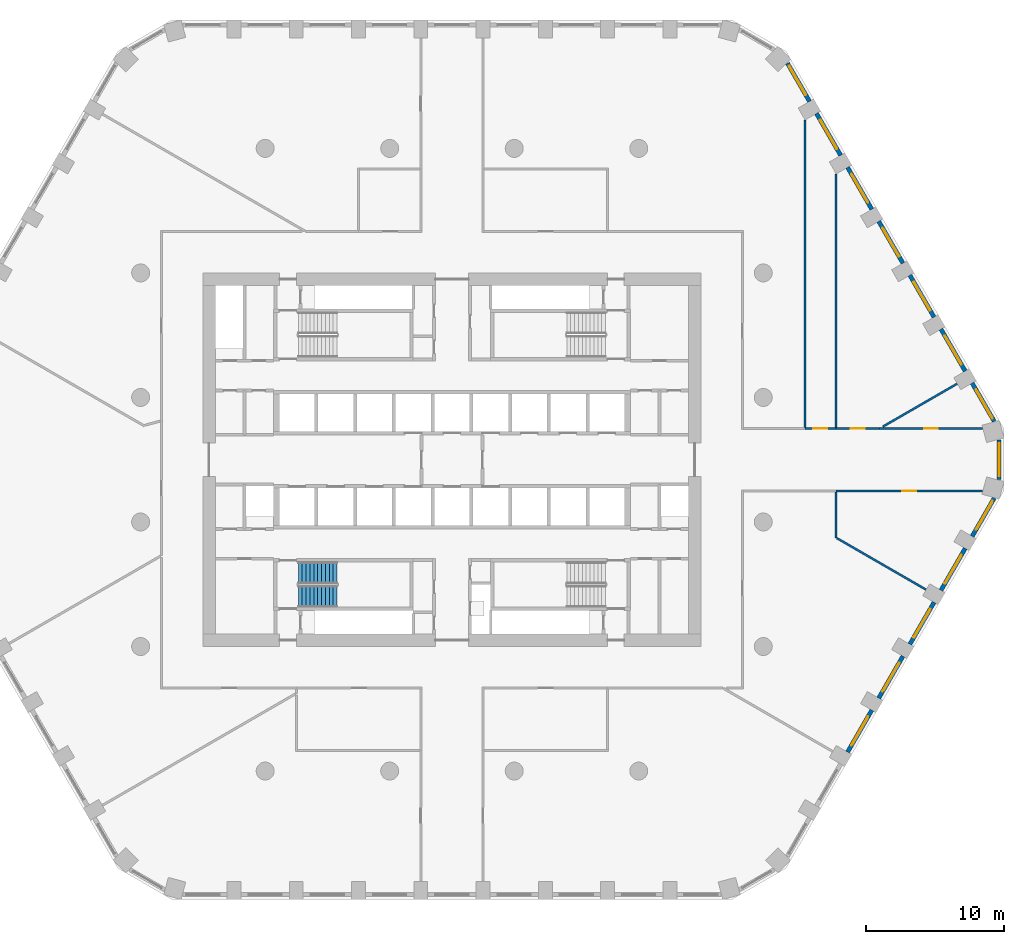
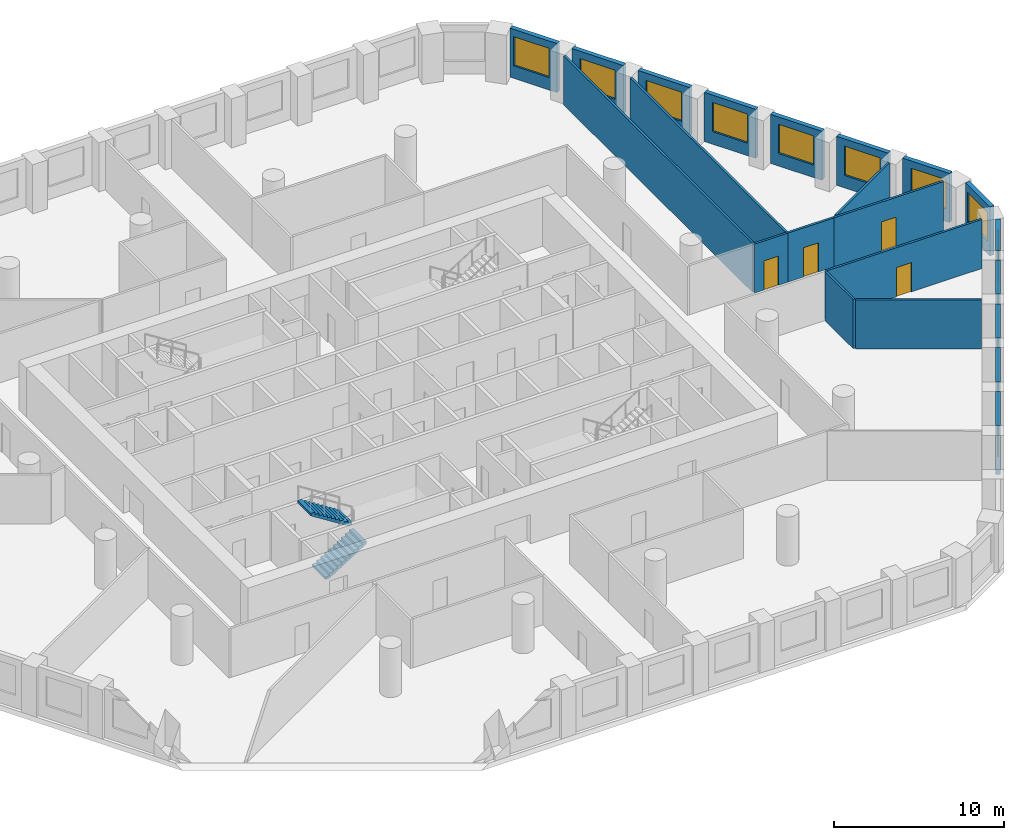
# One storey, part 8 of 10: 22 walls, 13 windows, 4 doors, 2 stair flights, 17 openings, 1 element without a shape of its own.
"""IFC4 building model written with IfcOpenShell, lengths in metres."""

import ifcopenshell
import ifcopenshell.guid

model = None  # the IFC model being written
_history = None  # IfcOwnerHistory: only IFC2X3 demands one
_inside = {}  # id of a spatial element -> (the spatial element, [elements in it])
_under = {}  # id of a project, library or spatial element -> (it, [spatial elements below it])
_declared = {}  # id of a project -> (the project, [libraries it declares])
_typed = {}  # id of a type object -> (the type object, [elements of that type])
_made_of = {}  # id of a material, layer set ... -> (it, [elements and type objects made of it])


def new_model(schema):
    """Start an empty IFC model of exactly this schema.

    Asked for "IFC4X3", IfcOpenShell would pick the latest addendum, in which some entities
    have other attributes; the version numbers below select the first issue.
    IFC2X3 requires an IfcOwnerHistory on every rooted entity: one is made here for all.
    """
    global model, _history
    if schema == "IFC4X3":
        model = ifcopenshell.file(schema_version=(4, 3, 0, 0))
    else:
        model = ifcopenshell.file(schema=schema)
    _inside.clear()
    _under.clear()
    _declared.clear()
    _typed.clear()
    _made_of.clear()
    _history = None
    if model.schema == "IFC2X3":
        org = make("IfcOrganization", Name="unknown")
        user = make(
            "IfcPersonAndOrganization",
            ThePerson=make("IfcPerson", FamilyName="unknown"),
            TheOrganization=org,
        )
        app = make(
            "IfcApplication",
            ApplicationDeveloper=org,
            Version="unknown",
            ApplicationFullName="unknown",
            ApplicationIdentifier="unknown",
        )
        _history = make(
            "IfcOwnerHistory",
            OwningUser=user,
            OwningApplication=app,
            ChangeAction="ADDED",
            CreationDate=0,
        )
    return model


def make(cls, **values):
    """One entity of the class cls with the attributes given. An attribute that is None is left unset."""
    return model.create_entity(
        cls, **{name: value for name, value in values.items() if value is not None}
    )


def rooted(cls, **values):
    """An entity with a GlobalId (a new one), such as an element, a storey or a relation."""
    return make(cls, GlobalId=ifcopenshell.guid.new(), OwnerHistory=_history, **values)


def si_unit(unit_type, name, prefix=None):
    """IfcSIUnit, for example si_unit("LENGTHUNIT", "METRE", prefix="MILLI")."""
    return make("IfcSIUnit", UnitType=unit_type, Prefix=prefix, Name=name)


def assignment(units):
    """IfcUnitAssignment: the units of a project."""
    return None if units is None else make("IfcUnitAssignment", Units=units)


def point(xyz):
    """IfcCartesianPoint."""
    return None if xyz is None else make("IfcCartesianPoint", Coordinates=xyz)


def direction(xyz):
    """IfcDirection."""
    return None if xyz is None else make("IfcDirection", DirectionRatios=xyz)


def frame(location, z_axis=None, x_axis=None):
    """IfcAxis2Placement3D, a coordinate frame: its origin and axes. An axis left out is left unset."""
    return make(
        "IfcAxis2Placement3D",
        Location=point(location),
        Axis=direction(z_axis),
        RefDirection=direction(x_axis),
    )


def frame_2d(location, x_axis=None):
    """IfcAxis2Placement2D, a coordinate frame in the plane: its origin and x axis."""
    return make(
        "IfcAxis2Placement2D", Location=point(location), RefDirection=direction(x_axis)
    )


def origin():
    """The frame at (0, 0, 0) with its axes left unset."""
    return frame((0.0, 0.0, 0.0))


def place(relative_to, where):
    """IfcLocalPlacement: puts the frame where relative to a parent placement (None: the world)."""
    return make(
        "IfcLocalPlacement", PlacementRelTo=relative_to, RelativePlacement=where
    )


def context(
    kind, dimensions, precision=None, world=None, true_north=None, identifier=None
):
    """IfcGeometricRepresentationContext, for example the 3D "Model" context."""
    return make(
        "IfcGeometricRepresentationContext",
        ContextIdentifier=identifier,
        ContextType=kind,
        CoordinateSpaceDimension=dimensions,
        Precision=precision,
        WorldCoordinateSystem=world,
        TrueNorth=true_north,
    )


def subcontext(parent, identifier, kind, view, scale=None):
    """IfcGeometricRepresentationSubContext, for example "Body" below "Model"."""
    return make(
        "IfcGeometricRepresentationSubContext",
        ContextIdentifier=identifier,
        ContextType=kind,
        ParentContext=parent,
        TargetScale=scale,
        TargetView=view,
    )


def project(units=None, contexts=None):
    """IfcProject with its units and contexts."""
    return rooted(
        "IfcProject",
        Name="project",
        RepresentationContexts=contexts,
        UnitsInContext=assignment(units),
    )


def spatial(cls, under=None, at=None, **own):
    """A site, building, storey or space (cls), placed at a placement, below another one or the project."""
    s = rooted(cls, ObjectPlacement=at, **own)
    if under is not None:
        _under.setdefault(under.id(), (under, []))[1].append(s)
    return s


def polyline(points):
    """IfcPolyline through the points."""
    return make("IfcPolyline", Points=[point(p) for p in points])


def profile(cls, at=None, kind="AREA", **sizes):
    """A parametric profile (cls). Its sizes go by their IFC names, for example OverallWidth=200.0."""
    return make(cls, ProfileType=kind, Position=at, **sizes)


def rectangle(**sizes):
    """IfcRectangleProfileDef."""
    return profile("IfcRectangleProfileDef", **sizes)


def outline(outer, holes=None, kind="AREA"):
    """IfcArbitraryClosedProfileDef: a profile drawn as a closed curve; with holes, ...WithVoids."""
    if holes is None:
        return make("IfcArbitraryClosedProfileDef", ProfileType=kind, OuterCurve=outer)
    return make(
        "IfcArbitraryProfileDefWithVoids",
        ProfileType=kind,
        OuterCurve=outer,
        InnerCurves=holes,
    )


def extrude(swept, where, along, depth):
    """IfcExtrudedAreaSolid: the profile swept, set in the frame where, extruded along a direction by depth."""
    return make(
        "IfcExtrudedAreaSolid",
        SweptArea=swept,
        Position=where,
        ExtrudedDirection=direction(along),
        Depth=depth,
    )


def shape(context_of_items, identifier, shape_type, items):
    """IfcShapeRepresentation: the items that make up one representation, for example the "Body"."""
    return make(
        "IfcShapeRepresentation",
        ContextOfItems=context_of_items,
        RepresentationIdentifier=identifier,
        RepresentationType=shape_type,
        Items=items,
    )


def material(Name=None, Category=None):
    """IfcMaterial."""
    return make("IfcMaterial", Name=Name, Category=Category)


def layer(
    of_material, thickness, ventilated=None, Name=None, Category=None, Priority=None
):
    """IfcMaterialLayer: one layer of a wall or slab, of a material (None: an air gap)."""
    return make(
        "IfcMaterialLayer",
        Material=of_material,
        LayerThickness=thickness,
        IsVentilated=ventilated,
        Name=Name,
        Category=Category,
        Priority=Priority,
    )


def layer_set(layers, Name=None):
    """IfcMaterialLayerSet."""
    return make("IfcMaterialLayerSet", MaterialLayers=layers, LayerSetName=Name)


def made_of(thing, what):
    """Note that an element or type object is made of a material, layer set ...; save() writes the relation."""
    if what is not None:
        _made_of.setdefault(what.id(), (what, []))[1].append(thing)
    return thing


def type_object(cls, material=None, **own):
    """A type object (cls), such as IfcWallType, which elements share."""
    return made_of(rooted(cls, **own), material)


def element(
    cls,
    number,
    at=None,
    inside=None,
    cuts=None,
    type_object=None,
    material=None,
    context=None,
    identifier="Body",
    shape_type=None,
    held_by="IfcProductDefinitionShape",
    body=None,
    shapes=None,
    **own,
):
    """One element of the class cls, such as IfcWall. Its Tag is "e" and its number.

    at: its placement. inside: the storey or other place that contains it. cuts: it is an
    opening in that element (IfcRelVoidsElement). A single representation is given by context,
    identifier, shape_type and body (its items); several are given by shapes. held_by: the class
    of the entity that holds the representations. save() writes the other relations.
    """
    e = rooted(cls, Tag="e%d" % number, ObjectPlacement=at, **own)
    if body is not None:
        shapes = [shape(context, identifier, shape_type, body)]
    if shapes is not None:
        e.Representation = make(held_by, Representations=shapes)
    if inside is not None:
        _inside.setdefault(inside.id(), (inside, []))[1].append(e)
    if cuts is not None:
        rooted(
            "IfcRelVoidsElement", RelatingBuildingElement=cuts, RelatedOpeningElement=e
        )
    if type_object is not None:
        _typed.setdefault(type_object.id(), (type_object, []))[1].append(e)
    return made_of(e, material)


def fill(opening, filler):
    """IfcRelFillsElement: the door or window that sits in an opening."""
    return rooted(
        "IfcRelFillsElement",
        RelatingOpeningElement=opening,
        RelatedBuildingElement=filler,
    )


def aggregate(whole, parts):
    """IfcRelAggregates: a whole, such as a stair, and the parts it consists of."""
    return rooted("IfcRelAggregates", RelatingObject=whole, RelatedObjects=parts)


def save(model, path):
    """Write the relations noted so far, then the file.

    IfcRelAggregates (storeys below a building ...), IfcRelContainedInSpatialStructure (elements
    in a storey), IfcRelDefinesByType, IfcRelAssociatesMaterial and IfcRelDeclares: one each for
    every whole, place, type object, material and project.
    """
    for whole, parts in _under.values():
        aggregate(whole, parts)
    for where, things in _inside.values():
        rooted(
            "IfcRelContainedInSpatialStructure",
            RelatedElements=things,
            RelatingStructure=where,
        )
    for kind, things in _typed.values():
        rooted("IfcRelDefinesByType", RelatedObjects=things, RelatingType=kind)
    for what, things in _made_of.values():
        rooted("IfcRelAssociatesMaterial", RelatedObjects=things, RelatingMaterial=what)
    for by, libraries in _declared.values():
        rooted("IfcRelDeclares", RelatingContext=by, RelatedDefinitions=libraries)
    model.write(path)


model = new_model("IFC4")

# Units and contexts
model_context = context("Model", 3, precision=1e-05, world=origin(), true_north=direction((0.0, 1.0)))
body_context = subcontext(model_context, "Body", "Model", "MODEL_VIEW")
ifc_project = project(units=[si_unit("LENGTHUNIT", "METRE"), si_unit("AREAUNIT", "SQUARE_METRE"), si_unit("VOLUMEUNIT", "CUBIC_METRE"), si_unit("PLANEANGLEUNIT", "RADIAN"), si_unit("MASSUNIT", "GRAM", prefix="KILO")], contexts=[model_context])

# Site, building, storey
site_placement = place(None, origin())
site = spatial("IfcSite", under=ifc_project, at=site_placement, CompositionType="ELEMENT")
building_placement = place(site_placement, origin())
building = spatial("IfcBuilding", under=site, at=building_placement, Name="Dhurran Vertical Campus", CompositionType="ELEMENT")
storey_placement = place(building_placement, frame((0.0, 0.0, 89.10009765625)))
storey = spatial("IfcBuildingStorey", under=building, at=storey_placement, Name="L21", CompositionType="ELEMENT", Elevation=89.10009765625)

# Wall, opening, window
ifc_material_1 = material(Name="Precast concrete C50/60", Category="concrete")
ifc_layer_1 = layer(ifc_material_1, 0.300048828125)
ifc_layer_set_1 = layer_set([ifc_layer_1], Name="Precast concrete C50/60")
wall_type_1 = type_object("IfcWallType", Name="Precast spandrel wall 300", PredefinedType="SOLIDWALL", material=ifc_layer_set_1)
wall_1_placement = place(storey_placement, frame((28.59423828125, -21.127197265625, 0.0), z_axis=(0.0, 0.0, 1.0), x_axis=(0.499996256241, 0.866027565234, 0.0)))
wall_1 = element("IfcWall", 1, at=wall_1_placement, inside=storey, type_object=wall_type_1, Name="EW1 L21.12", PredefinedType="SOLIDWALL", context=body_context, shape_type="SweptSolid", body=[
    extrude(rectangle(XDim=3.4990234375, YDim=0.300048828125, at=frame_2d((1.74951171875, 0.0))), origin(), (0.0, 0.0, 1.0), 3.52490234375),
])
opening_1_placement = place(wall_1_placement, frame((0.549560546875, 0.0, 0.89990234375)))
opening_1 = element("IfcOpeningElement", 2, at=opening_1_placement, cuts=wall_1, Name="Opening WT1", PredefinedType="OPENING", context=body_context, shape_type="SweptSolid", body=[
    extrude(rectangle(XDim=2.39990234375, YDim=2.10009765625, at=frame_2d((1.199951171875, 1.050048828125))), frame((0.0, 0.159912109375, 0.0), z_axis=(0.0, -1.0, 0.0), x_axis=(1.0, 0.0, 0.0)), (0.0, 0.0, 1.0), 0.320068359375),
])
ifc_material_2 = material(Name="Aluminium frame with solar-control glass", Category="aluminium")
window_type = type_object("IfcWindowType", Name="Punched window 2400 x 2100", PartitioningType="SINGLE_PANEL", PredefinedType="WINDOW", material=ifc_material_2)
window_1_placement = place(opening_1_placement, origin())
window_1 = element("IfcWindow", 3, at=window_1_placement, inside=storey, type_object=window_type, Name="WT1 L21.12", OverallHeight=2.10009765625, OverallWidth=2.39990234375, PartitioningType="SINGLE_PANEL", PredefinedType="WINDOW", context=body_context, shape_type="SweptSolid", body=[
    extrude(rectangle(XDim=2.39990234375, YDim=2.10009765625, at=frame_2d((1.199951171875, 1.050048828125))), frame((0.0, 0.030029296875, 0.0), z_axis=(0.0, -1.0, 0.0), x_axis=(1.0, 0.0, 0.0)), (0.0, 0.0, 1.0), 0.06005859375),
])
fill(opening_1, window_1)

wall_2_placement = place(storey_placement, frame((30.84423828125, -17.22998046875, 0.0), z_axis=(0.0, 0.0, 1.0), x_axis=(0.499996256241, 0.866027565234, 0.0)))
wall_2 = element("IfcWall", 4, at=wall_2_placement, inside=storey, type_object=wall_type_1, Name="EW1 L21.13", PredefinedType="SOLIDWALL", context=body_context, shape_type="SweptSolid", body=[
    extrude(rectangle(XDim=3.4990234375, YDim=0.300048828125, at=frame_2d((1.74951171875, 0.0))), origin(), (0.0, 0.0, 1.0), 3.52490234375),
])
opening_2_placement = place(wall_2_placement, frame((0.549560546875, 0.0, 0.89990234375)))
opening_2 = element("IfcOpeningElement", 5, at=opening_2_placement, cuts=wall_2, Name="Opening WT1", PredefinedType="OPENING", context=body_context, shape_type="SweptSolid", body=[
    extrude(rectangle(XDim=2.39990234375, YDim=2.10009765625, at=frame_2d((1.199951171875, 1.050048828125))), frame((0.0, 0.159912109375, 0.0), z_axis=(0.0, -1.0, 0.0), x_axis=(1.0, 0.0, 0.0)), (0.0, 0.0, 1.0), 0.320068359375),
])
window_2_placement = place(opening_2_placement, origin())
window_2 = element("IfcWindow", 6, at=window_2_placement, inside=storey, type_object=window_type, Name="WT1 L21.13", OverallHeight=2.10009765625, OverallWidth=2.39990234375, PartitioningType="SINGLE_PANEL", PredefinedType="WINDOW", context=body_context, shape_type="SweptSolid", body=[
    extrude(rectangle(XDim=2.39990234375, YDim=2.10009765625, at=frame_2d((1.199951171875, 1.050048828125))), frame((0.0, 0.030029296875, 0.0), z_axis=(0.0, -1.0, 0.0), x_axis=(1.0, 0.0, 0.0)), (0.0, 0.0, 1.0), 0.06005859375),
])
fill(opening_2, window_2)

wall_3_placement = place(storey_placement, frame((33.09423828125, -13.3330078125, 0.0), z_axis=(0.0, 0.0, 1.0), x_axis=(0.499996256241, 0.866027565234, 0.0)))
wall_3 = element("IfcWall", 7, at=wall_3_placement, inside=storey, type_object=wall_type_1, Name="EW1 L21.14", PredefinedType="SOLIDWALL", context=body_context, shape_type="SweptSolid", body=[
    extrude(rectangle(XDim=3.4990234375, YDim=0.300048828125, at=frame_2d((1.74951171875, 0.0))), origin(), (0.0, 0.0, 1.0), 3.52490234375),
])
opening_3_placement = place(wall_3_placement, frame((0.549560546875, 0.0, 0.89990234375)))
opening_3 = element("IfcOpeningElement", 8, at=opening_3_placement, cuts=wall_3, Name="Opening WT1", PredefinedType="OPENING", context=body_context, shape_type="SweptSolid", body=[
    extrude(rectangle(XDim=2.39990234375, YDim=2.10009765625, at=frame_2d((1.199951171875, 1.050048828125))), frame((0.0, 0.159912109375, 0.0), z_axis=(0.0, -1.0, 0.0), x_axis=(1.0, 0.0, 0.0)), (0.0, 0.0, 1.0), 0.320068359375),
])
window_3_placement = place(opening_3_placement, origin())
window_3 = element("IfcWindow", 9, at=window_3_placement, inside=storey, type_object=window_type, Name="WT1 L21.14", OverallHeight=2.10009765625, OverallWidth=2.39990234375, PartitioningType="SINGLE_PANEL", PredefinedType="WINDOW", context=body_context, shape_type="SweptSolid", body=[
    extrude(rectangle(XDim=2.39990234375, YDim=2.10009765625, at=frame_2d((1.199951171875, 1.050048828125))), frame((0.0, 0.030029296875, 0.0), z_axis=(0.0, -1.0, 0.0), x_axis=(1.0, 0.0, 0.0)), (0.0, 0.0, 1.0), 0.06005859375),
])
fill(opening_3, window_3)

wall_4_placement = place(storey_placement, frame((35.34423828125, -9.435791015625, 0.0), z_axis=(0.0, 0.0, 1.0), x_axis=(0.499996256241, 0.866027565234, 0.0)))
wall_4 = element("IfcWall", 10, at=wall_4_placement, inside=storey, type_object=wall_type_1, Name="EW1 L21.15", PredefinedType="SOLIDWALL", context=body_context, shape_type="SweptSolid", body=[
    extrude(rectangle(XDim=3.4990234375, YDim=0.300048828125, at=frame_2d((1.74951171875, 0.0))), origin(), (0.0, 0.0, 1.0), 3.52490234375),
])
opening_4_placement = place(wall_4_placement, frame((0.549560546875, 0.0, 0.89990234375)))
opening_4 = element("IfcOpeningElement", 11, at=opening_4_placement, cuts=wall_4, Name="Opening WT1", PredefinedType="OPENING", context=body_context, shape_type="SweptSolid", body=[
    extrude(rectangle(XDim=2.39990234375, YDim=2.10009765625, at=frame_2d((1.199951171875, 1.050048828125))), frame((0.0, 0.159912109375, 0.0), z_axis=(0.0, -1.0, 0.0), x_axis=(1.0, 0.0, 0.0)), (0.0, 0.0, 1.0), 0.320068359375),
])
window_4_placement = place(opening_4_placement, origin())
window_4 = element("IfcWindow", 12, at=window_4_placement, inside=storey, type_object=window_type, Name="WT1 L21.15", OverallHeight=2.10009765625, OverallWidth=2.39990234375, PartitioningType="SINGLE_PANEL", PredefinedType="WINDOW", context=body_context, shape_type="SweptSolid", body=[
    extrude(rectangle(XDim=2.39990234375, YDim=2.10009765625, at=frame_2d((1.199951171875, 1.050048828125))), frame((0.0, 0.030029296875, 0.0), z_axis=(0.0, -1.0, 0.0), x_axis=(1.0, 0.0, 0.0)), (0.0, 0.0, 1.0), 0.06005859375),
])
fill(opening_4, window_4)

wall_5_placement = place(storey_placement, frame((37.59423828125, -5.538818359375, 0.0), z_axis=(0.0, 0.0, 1.0), x_axis=(0.500004907028, 0.866022570692, 0.0)))
wall_5 = element("IfcWall", 13, at=wall_5_placement, inside=storey, type_object=wall_type_1, Name="EW1 L21.16", PredefinedType="SOLIDWALL", context=body_context, shape_type="SweptSolid", body=[
    extrude(rectangle(XDim=3.1923828125, YDim=0.300048828125, at=frame_2d((1.59619140625, 0.0))), origin(), (0.0, 0.0, 1.0), 3.52490234375),
])
opening_5_placement = place(wall_5_placement, frame((0.549560546875, 0.0, 0.89990234375)))
opening_5 = element("IfcOpeningElement", 14, at=opening_5_placement, cuts=wall_5, Name="Opening WT1", PredefinedType="OPENING", context=body_context, shape_type="SweptSolid", body=[
    extrude(rectangle(XDim=2.39990234375, YDim=2.10009765625, at=frame_2d((1.199951171875, 1.050048828125))), frame((0.0, 0.159912109375, 0.0), z_axis=(0.0, -1.0, 0.0), x_axis=(1.0, 0.0, 0.0)), (0.0, 0.0, 1.0), 0.320068359375),
])
window_5_placement = place(opening_5_placement, origin())
window_5 = element("IfcWindow", 15, at=window_5_placement, inside=storey, type_object=window_type, Name="WT1 L21.16", OverallHeight=2.10009765625, OverallWidth=2.39990234375, PartitioningType="SINGLE_PANEL", PredefinedType="WINDOW", context=body_context, shape_type="SweptSolid", body=[
    extrude(rectangle(XDim=2.39990234375, YDim=2.10009765625, at=frame_2d((1.199951171875, 1.050048828125))), frame((0.0, 0.030029296875, 0.0), z_axis=(0.0, -1.0, 0.0), x_axis=(1.0, 0.0, 0.0)), (0.0, 0.0, 1.0), 0.06005859375),
])
fill(opening_5, window_5)

wall_6_placement = place(storey_placement, frame((39.547119140625, -1.44287109375, 0.0), z_axis=(0.0, 0.0, 1.0), x_axis=(0.0, 1.0, 0.0)))
wall_6 = element("IfcWall", 16, at=wall_6_placement, inside=storey, type_object=wall_type_1, Name="EW1 L21.17", PredefinedType="SOLIDWALL", context=body_context, shape_type="SweptSolid", body=[
    extrude(rectangle(XDim=2.8857421875, YDim=0.300048828125, at=frame_2d((1.44287109375, 0.0))), origin(), (0.0, 0.0, 1.0), 3.52490234375),
])
opening_6_placement = place(wall_6_placement, frame((0.242919921875, 0.0, 0.89990234375)))
opening_6 = element("IfcOpeningElement", 17, at=opening_6_placement, cuts=wall_6, Name="Opening WT1", PredefinedType="OPENING", context=body_context, shape_type="SweptSolid", body=[
    extrude(rectangle(XDim=2.39990234375, YDim=2.10009765625, at=frame_2d((1.199951171875, 1.050048828125))), frame((0.0, 0.159912109375, 0.0), z_axis=(0.0, -1.0, 0.0), x_axis=(1.0, 0.0, 0.0)), (0.0, 0.0, 1.0), 0.320068359375),
])
window_6_placement = place(opening_6_placement, origin())
window_6 = element("IfcWindow", 18, at=window_6_placement, inside=storey, type_object=window_type, Name="WT1 L21.17", OverallHeight=2.10009765625, OverallWidth=2.39990234375, PartitioningType="SINGLE_PANEL", PredefinedType="WINDOW", context=body_context, shape_type="SweptSolid", body=[
    extrude(rectangle(XDim=2.39990234375, YDim=2.10009765625, at=frame_2d((1.199951171875, 1.050048828125))), frame((0.0, 0.030029296875, 0.0), z_axis=(0.0, -1.0, 0.0), x_axis=(1.0, 0.0, 0.0)), (0.0, 0.0, 1.0), 0.06005859375),
])
fill(opening_6, window_6)

wall_7_placement = place(storey_placement, frame((39.1904296875, 2.774169921875, 0.0), z_axis=(0.0, 0.0, 1.0), x_axis=(-0.500004907028, 0.866022570692, 0.0)))
wall_7 = element("IfcWall", 19, at=wall_7_placement, inside=storey, type_object=wall_type_1, Name="EW1 L21.18", PredefinedType="SOLIDWALL", context=body_context, shape_type="SweptSolid", body=[
    extrude(rectangle(XDim=3.1923828125, YDim=0.300048828125, at=frame_2d((1.59619140625, 0.0))), origin(), (0.0, 0.0, 1.0), 3.52490234375),
])
opening_7_placement = place(wall_7_placement, frame((0.242919921875, 0.0, 0.89990234375)))
opening_7 = element("IfcOpeningElement", 20, at=opening_7_placement, cuts=wall_7, Name="Opening WT1", PredefinedType="OPENING", context=body_context, shape_type="SweptSolid", body=[
    extrude(rectangle(XDim=2.39990234375, YDim=2.10009765625, at=frame_2d((1.199951171875, 1.050048828125))), frame((0.0, 0.159912109375, 0.0), z_axis=(0.0, -1.0, 0.0), x_axis=(1.0, 0.0, 0.0)), (0.0, 0.0, 1.0), 0.320068359375),
])
window_7_placement = place(opening_7_placement, origin())
window_7 = element("IfcWindow", 21, at=window_7_placement, inside=storey, type_object=window_type, Name="WT1 L21.18", OverallHeight=2.10009765625, OverallWidth=2.39990234375, PartitioningType="SINGLE_PANEL", PredefinedType="WINDOW", context=body_context, shape_type="SweptSolid", body=[
    extrude(rectangle(XDim=2.39990234375, YDim=2.10009765625, at=frame_2d((1.199951171875, 1.050048828125))), frame((0.0, 0.030029296875, 0.0), z_axis=(0.0, -1.0, 0.0), x_axis=(1.0, 0.0, 0.0)), (0.0, 0.0, 1.0), 0.06005859375),
])
fill(opening_7, window_7)

wall_8_placement = place(storey_placement, frame((37.09375, 6.405517578125, 0.0), z_axis=(0.0, 0.0, 1.0), x_axis=(-0.499996256241, 0.866027565234, 0.0)))
wall_8 = element("IfcWall", 22, at=wall_8_placement, inside=storey, type_object=wall_type_1, Name="EW1 L21.19", PredefinedType="SOLIDWALL", context=body_context, shape_type="SweptSolid", body=[
    extrude(rectangle(XDim=3.4990234375, YDim=0.300048828125, at=frame_2d((1.74951171875, 0.0))), origin(), (0.0, 0.0, 1.0), 3.52490234375),
])
opening_8_placement = place(wall_8_placement, frame((0.549560546875, 0.0, 0.89990234375)))
opening_8 = element("IfcOpeningElement", 23, at=opening_8_placement, cuts=wall_8, Name="Opening WT1", PredefinedType="OPENING", context=body_context, shape_type="SweptSolid", body=[
    extrude(rectangle(XDim=2.39990234375, YDim=2.10009765625, at=frame_2d((1.199951171875, 1.050048828125))), frame((0.0, 0.159912109375, 0.0), z_axis=(0.0, -1.0, 0.0), x_axis=(1.0, 0.0, 0.0)), (0.0, 0.0, 1.0), 0.320068359375),
])
window_8_placement = place(opening_8_placement, origin())
window_8 = element("IfcWindow", 24, at=window_8_placement, inside=storey, type_object=window_type, Name="WT1 L21.19", OverallHeight=2.10009765625, OverallWidth=2.39990234375, PartitioningType="SINGLE_PANEL", PredefinedType="WINDOW", context=body_context, shape_type="SweptSolid", body=[
    extrude(rectangle(XDim=2.39990234375, YDim=2.10009765625, at=frame_2d((1.199951171875, 1.050048828125))), frame((0.0, 0.030029296875, 0.0), z_axis=(0.0, -1.0, 0.0), x_axis=(1.0, 0.0, 0.0)), (0.0, 0.0, 1.0), 0.06005859375),
])
fill(opening_8, window_8)

wall_9_placement = place(storey_placement, frame((34.84375, 10.302734375, 0.0), z_axis=(0.0, 0.0, 1.0), x_axis=(-0.499996256241, 0.866027565234, 0.0)))
wall_9 = element("IfcWall", 25, at=wall_9_placement, inside=storey, type_object=wall_type_1, Name="EW1 L21.20", PredefinedType="SOLIDWALL", context=body_context, shape_type="SweptSolid", body=[
    extrude(rectangle(XDim=3.4990234375, YDim=0.300048828125, at=frame_2d((1.74951171875, 0.0))), origin(), (0.0, 0.0, 1.0), 3.52490234375),
])
opening_9_placement = place(wall_9_placement, frame((0.549560546875, 0.0, 0.89990234375)))
opening_9 = element("IfcOpeningElement", 26, at=opening_9_placement, cuts=wall_9, Name="Opening WT1", PredefinedType="OPENING", context=body_context, shape_type="SweptSolid", body=[
    extrude(rectangle(XDim=2.39990234375, YDim=2.10009765625, at=frame_2d((1.199951171875, 1.050048828125))), frame((0.0, 0.159912109375, 0.0), z_axis=(0.0, -1.0, 0.0), x_axis=(1.0, 0.0, 0.0)), (0.0, 0.0, 1.0), 0.320068359375),
])
window_9_placement = place(opening_9_placement, origin())
window_9 = element("IfcWindow", 27, at=window_9_placement, inside=storey, type_object=window_type, Name="WT1 L21.20", OverallHeight=2.10009765625, OverallWidth=2.39990234375, PartitioningType="SINGLE_PANEL", PredefinedType="WINDOW", context=body_context, shape_type="SweptSolid", body=[
    extrude(rectangle(XDim=2.39990234375, YDim=2.10009765625, at=frame_2d((1.199951171875, 1.050048828125))), frame((0.0, 0.030029296875, 0.0), z_axis=(0.0, -1.0, 0.0), x_axis=(1.0, 0.0, 0.0)), (0.0, 0.0, 1.0), 0.06005859375),
])
fill(opening_9, window_9)

wall_10_placement = place(storey_placement, frame((32.59375, 14.19970703125, 0.0), z_axis=(0.0, 0.0, 1.0), x_axis=(-0.499996256241, 0.866027565234, 0.0)))
wall_10 = element("IfcWall", 28, at=wall_10_placement, inside=storey, type_object=wall_type_1, Name="EW1 L21.21", PredefinedType="SOLIDWALL", context=body_context, shape_type="SweptSolid", body=[
    extrude(rectangle(XDim=3.4990234375, YDim=0.300048828125, at=frame_2d((1.74951171875, 0.0))), origin(), (0.0, 0.0, 1.0), 3.52490234375),
])
opening_10_placement = place(wall_10_placement, frame((0.549560546875, 0.0, 0.89990234375)))
opening_10 = element("IfcOpeningElement", 29, at=opening_10_placement, cuts=wall_10, Name="Opening WT1", PredefinedType="OPENING", context=body_context, shape_type="SweptSolid", body=[
    extrude(rectangle(XDim=2.39990234375, YDim=2.10009765625, at=frame_2d((1.199951171875, 1.050048828125))), frame((0.0, 0.159912109375, 0.0), z_axis=(0.0, -1.0, 0.0), x_axis=(1.0, 0.0, 0.0)), (0.0, 0.0, 1.0), 0.320068359375),
])
window_10_placement = place(opening_10_placement, origin())
window_10 = element("IfcWindow", 30, at=window_10_placement, inside=storey, type_object=window_type, Name="WT1 L21.21", OverallHeight=2.10009765625, OverallWidth=2.39990234375, PartitioningType="SINGLE_PANEL", PredefinedType="WINDOW", context=body_context, shape_type="SweptSolid", body=[
    extrude(rectangle(XDim=2.39990234375, YDim=2.10009765625, at=frame_2d((1.199951171875, 1.050048828125))), frame((0.0, 0.030029296875, 0.0), z_axis=(0.0, -1.0, 0.0), x_axis=(1.0, 0.0, 0.0)), (0.0, 0.0, 1.0), 0.06005859375),
])
fill(opening_10, window_10)

wall_11_placement = place(storey_placement, frame((30.34375, 18.096923828125, 0.0), z_axis=(0.0, 0.0, 1.0), x_axis=(-0.499996256241, 0.866027565234, 0.0)))
wall_11 = element("IfcWall", 31, at=wall_11_placement, inside=storey, type_object=wall_type_1, Name="EW1 L21.22", PredefinedType="SOLIDWALL", context=body_context, shape_type="SweptSolid", body=[
    extrude(rectangle(XDim=3.4990234375, YDim=0.300048828125, at=frame_2d((1.74951171875, 0.0))), origin(), (0.0, 0.0, 1.0), 3.52490234375),
])
opening_11_placement = place(wall_11_placement, frame((0.549560546875, 0.0, 0.89990234375)))
opening_11 = element("IfcOpeningElement", 32, at=opening_11_placement, cuts=wall_11, Name="Opening WT1", PredefinedType="OPENING", context=body_context, shape_type="SweptSolid", body=[
    extrude(rectangle(XDim=2.39990234375, YDim=2.10009765625, at=frame_2d((1.199951171875, 1.050048828125))), frame((0.0, 0.159912109375, 0.0), z_axis=(0.0, -1.0, 0.0), x_axis=(1.0, 0.0, 0.0)), (0.0, 0.0, 1.0), 0.320068359375),
])
window_11_placement = place(opening_11_placement, origin())
window_11 = element("IfcWindow", 33, at=window_11_placement, inside=storey, type_object=window_type, Name="WT1 L21.22", OverallHeight=2.10009765625, OverallWidth=2.39990234375, PartitioningType="SINGLE_PANEL", PredefinedType="WINDOW", context=body_context, shape_type="SweptSolid", body=[
    extrude(rectangle(XDim=2.39990234375, YDim=2.10009765625, at=frame_2d((1.199951171875, 1.050048828125))), frame((0.0, 0.030029296875, 0.0), z_axis=(0.0, -1.0, 0.0), x_axis=(1.0, 0.0, 0.0)), (0.0, 0.0, 1.0), 0.06005859375),
])
fill(opening_11, window_11)

wall_12_placement = place(storey_placement, frame((28.09375, 21.993896484375, 0.0), z_axis=(0.0, 0.0, 1.0), x_axis=(-0.499996256241, 0.866027565234, 0.0)))
wall_12 = element("IfcWall", 34, at=wall_12_placement, inside=storey, type_object=wall_type_1, Name="EW1 L21.23", PredefinedType="SOLIDWALL", context=body_context, shape_type="SweptSolid", body=[
    extrude(rectangle(XDim=3.4990234375, YDim=0.300048828125, at=frame_2d((1.74951171875, 0.0))), origin(), (0.0, 0.0, 1.0), 3.52490234375),
])
opening_12_placement = place(wall_12_placement, frame((0.549560546875, 0.0, 0.89990234375)))
opening_12 = element("IfcOpeningElement", 35, at=opening_12_placement, cuts=wall_12, Name="Opening WT1", PredefinedType="OPENING", context=body_context, shape_type="SweptSolid", body=[
    extrude(rectangle(XDim=2.39990234375, YDim=2.10009765625, at=frame_2d((1.199951171875, 1.050048828125))), frame((0.0, 0.159912109375, 0.0), z_axis=(0.0, -1.0, 0.0), x_axis=(1.0, 0.0, 0.0)), (0.0, 0.0, 1.0), 0.320068359375),
])
window_12_placement = place(opening_12_placement, origin())
window_12 = element("IfcWindow", 36, at=window_12_placement, inside=storey, type_object=window_type, Name="WT1 L21.23", OverallHeight=2.10009765625, OverallWidth=2.39990234375, PartitioningType="SINGLE_PANEL", PredefinedType="WINDOW", context=body_context, shape_type="SweptSolid", body=[
    extrude(rectangle(XDim=2.39990234375, YDim=2.10009765625, at=frame_2d((1.199951171875, 1.050048828125))), frame((0.0, 0.030029296875, 0.0), z_axis=(0.0, -1.0, 0.0), x_axis=(1.0, 0.0, 0.0)), (0.0, 0.0, 1.0), 0.06005859375),
])
fill(opening_12, window_12)

wall_13_placement = place(storey_placement, frame((25.84375, 25.89111328125, 0.0), z_axis=(0.0, 0.0, 1.0), x_axis=(-0.500004907028, 0.866022570692, 0.0)))
wall_13 = element("IfcWall", 37, at=wall_13_placement, inside=storey, type_object=wall_type_1, Name="EW1 L21.24", PredefinedType="SOLIDWALL", context=body_context, shape_type="SweptSolid", body=[
    extrude(rectangle(XDim=3.1923828125, YDim=0.300048828125, at=frame_2d((1.59619140625, 0.0))), origin(), (0.0, 0.0, 1.0), 3.52490234375),
])
opening_13_placement = place(wall_13_placement, frame((0.549560546875, 0.0, 0.89990234375)))
opening_13 = element("IfcOpeningElement", 38, at=opening_13_placement, cuts=wall_13, Name="Opening WT1", PredefinedType="OPENING", context=body_context, shape_type="SweptSolid", body=[
    extrude(rectangle(XDim=2.39990234375, YDim=2.10009765625, at=frame_2d((1.199951171875, 1.050048828125))), frame((0.0, 0.159912109375, 0.0), z_axis=(0.0, -1.0, 0.0), x_axis=(1.0, 0.0, 0.0)), (0.0, 0.0, 1.0), 0.320068359375),
])
window_13_placement = place(opening_13_placement, origin())
window_13 = element("IfcWindow", 39, at=window_13_placement, inside=storey, type_object=window_type, Name="WT1 L21.24", OverallHeight=2.10009765625, OverallWidth=2.39990234375, PartitioningType="SINGLE_PANEL", PredefinedType="WINDOW", context=body_context, shape_type="SweptSolid", body=[
    extrude(rectangle(XDim=2.39990234375, YDim=2.10009765625, at=frame_2d((1.199951171875, 1.050048828125))), frame((0.0, 0.030029296875, 0.0), z_axis=(0.0, -1.0, 0.0), x_axis=(1.0, 0.0, 0.0)), (0.0, 0.0, 1.0), 0.06005859375),
])
fill(opening_13, window_13)

# Wall, opening, door
ifc_material_3 = material(Name="Gypsum board corridor wall on steel studs", Category="steel")
ifc_layer_2 = layer(ifc_material_3, 0.14990234375)
ifc_layer_set_2 = layer_set([ifc_layer_2], Name="Gypsum board corridor wall on steel studs")
wall_type_2 = type_object("IfcWallType", Name="fl-CW-150 corridor wall", PredefinedType="PARTITIONING", material=ifc_layer_set_2)
wall_14_placement = place(storey_placement, frame((25.5, 2.25, 0.0), z_axis=(0.0, 0.0, 1.0), x_axis=(1.0, 0.0, 0.0)))
wall_14 = element("IfcWall", 40, at=wall_14_placement, inside=storey, type_object=wall_type_2, Name="Partition 21-42", PredefinedType="PARTITIONING", context=body_context, shape_type="SweptSolid", body=[
    extrude(rectangle(XDim=2.25, YDim=0.14990234375, at=frame_2d((1.125, 0.0))), origin(), (0.0, 0.0, 1.0), 3.52490234375),
])
opening_14_placement = place(wall_14_placement, frame((0.625, 0.0, 0.0)))
opening_14 = element("IfcOpeningElement", 41, at=opening_14_placement, cuts=wall_14, Name="Opening T05.13", PredefinedType="OPENING", context=body_context, shape_type="SweptSolid", body=[
    extrude(rectangle(XDim=1.0, YDim=2.10009765625, at=frame_2d((0.5, 1.050048828125))), frame((0.0, 0.0849609375, 0.0), z_axis=(0.0, -1.0, 0.0), x_axis=(1.0, 0.0, 0.0)), (0.0, 0.0, 1.0), 0.169921875),
])
ifc_material_4 = material(Name="Solid-core timber door set, fire-rated", Category="wood")
door_type = type_object("IfcDoorType", Name="fl-D-1000x2100", OperationType="SINGLE_SWING_LEFT", PredefinedType="DOOR", material=ifc_material_4)
door_1_placement = place(opening_14_placement, origin())
door_1 = element("IfcDoor", 42, at=door_1_placement, inside=storey, type_object=door_type, Name="Door 21.13", OperationType="SINGLE_SWING_LEFT", OverallHeight=2.10009765625, OverallWidth=1.0, PredefinedType="DOOR", context=body_context, shape_type="SweptSolid", body=[
    extrude(rectangle(XDim=1.0, YDim=2.10009765625, at=frame_2d((0.5, 1.050048828125))), frame((0.0, 0.02490234375, 0.0), z_axis=(0.0, -1.0, 0.0), x_axis=(1.0, 0.0, 0.0)), (0.0, 0.0, 1.0), 0.050048828125),
])
fill(opening_14, door_1)

wall_15_placement = place(storey_placement, frame((38.35009765625, -2.25, 0.0), z_axis=(0.0, 0.0, 1.0), x_axis=(-1.0, 0.0, 0.0)))
wall_15 = element("IfcWall", 43, at=wall_15_placement, inside=storey, type_object=wall_type_2, Name="Partition 21-45", PredefinedType="PARTITIONING", context=body_context, shape_type="SweptSolid", body=[
    extrude(rectangle(XDim=10.60009765625, YDim=0.14990234375, at=frame_2d((5.300048828125, 0.0))), origin(), (0.0, 0.0, 1.0), 3.52490234375),
])
opening_15_placement = place(wall_15_placement, frame((4.800048828125, 0.0, 0.0)))
opening_15 = element("IfcOpeningElement", 44, at=opening_15_placement, cuts=wall_15, Name="Opening T05.15", PredefinedType="OPENING", context=body_context, shape_type="SweptSolid", body=[
    extrude(rectangle(XDim=1.0, YDim=2.10009765625, at=frame_2d((0.5, 1.050048828125))), frame((0.0, 0.0849609375, 0.0), z_axis=(0.0, -1.0, 0.0), x_axis=(1.0, 0.0, 0.0)), (0.0, 0.0, 1.0), 0.169921875),
])
door_2_placement = place(opening_15_placement, origin())
door_2 = element("IfcDoor", 45, at=door_2_placement, inside=storey, type_object=door_type, Name="Door 21.15", OperationType="SINGLE_SWING_LEFT", OverallHeight=2.10009765625, OverallWidth=1.0, PredefinedType="DOOR", context=body_context, shape_type="SweptSolid", body=[
    extrude(rectangle(XDim=1.0, YDim=2.10009765625, at=frame_2d((0.5, 1.050048828125))), frame((0.0, 0.02490234375, 0.0), z_axis=(0.0, -1.0, 0.0), x_axis=(1.0, 0.0, 0.0)), (0.0, 0.0, 1.0), 0.050048828125),
])
fill(opening_15, door_2)

wall_16_placement = place(storey_placement, frame((27.75, 2.25, 0.0), z_axis=(0.0, 0.0, 1.0), x_axis=(1.0, 0.0, 0.0)))
wall_16 = element("IfcWall", 46, at=wall_16_placement, inside=storey, type_object=wall_type_2, Name="Partition 21-47", PredefinedType="PARTITIONING", context=body_context, shape_type="SweptSolid", body=[
    extrude(rectangle(XDim=3.14697265625, YDim=0.14990234375, at=frame_2d((1.573486328125, 0.0))), origin(), (0.0, 0.0, 1.0), 3.52490234375),
])
opening_16_placement = place(wall_16_placement, frame((1.073486328125, 0.0, 0.0)))
opening_16 = element("IfcOpeningElement", 47, at=opening_16_placement, cuts=wall_16, Name="Opening T05.14", PredefinedType="OPENING", context=body_context, shape_type="SweptSolid", body=[
    extrude(rectangle(XDim=1.0, YDim=2.10009765625, at=frame_2d((0.5, 1.050048828125))), frame((0.0, 0.0849609375, 0.0), z_axis=(0.0, -1.0, 0.0), x_axis=(1.0, 0.0, 0.0)), (0.0, 0.0, 1.0), 0.169921875),
])
door_3_placement = place(opening_16_placement, origin())
door_3 = element("IfcDoor", 48, at=door_3_placement, inside=storey, type_object=door_type, Name="Door 21.14", OperationType="SINGLE_SWING_RIGHT", OverallHeight=2.10009765625, OverallWidth=1.0, PredefinedType="DOOR", context=body_context, shape_type="SweptSolid", body=[
    extrude(rectangle(XDim=1.0, YDim=2.10009765625, at=frame_2d((0.5, 1.050048828125))), frame((0.0, 0.02490234375, 0.0), z_axis=(0.0, -1.0, 0.0), x_axis=(1.0, 0.0, 0.0)), (0.0, 0.0, 1.0), 0.050048828125),
])
fill(opening_16, door_3)

wall_17_placement = place(storey_placement, frame((30.89697265625, 2.25, 0.0), z_axis=(0.0, 0.0, 1.0), x_axis=(1.0, 0.0, 0.0)))
wall_17 = element("IfcWall", 49, at=wall_17_placement, inside=storey, type_object=wall_type_2, Name="Partition 21-49", PredefinedType="PARTITIONING", context=body_context, shape_type="SweptSolid", body=[
    extrude(rectangle(XDim=7.453125, YDim=0.14990234375, at=frame_2d((3.7265625, 0.0))), origin(), (0.0, 0.0, 1.0), 3.52490234375),
])
opening_17_placement = place(wall_17_placement, frame((3.2265625, 0.0, 0.0)))
opening_17 = element("IfcOpeningElement", 50, at=opening_17_placement, cuts=wall_17, Name="Opening T05.16", PredefinedType="OPENING", context=body_context, shape_type="SweptSolid", body=[
    extrude(rectangle(XDim=1.0, YDim=2.10009765625, at=frame_2d((0.5, 1.050048828125))), frame((0.0, 0.0849609375, 0.0), z_axis=(0.0, -1.0, 0.0), x_axis=(1.0, 0.0, 0.0)), (0.0, 0.0, 1.0), 0.169921875),
])
door_4_placement = place(opening_17_placement, origin())
door_4 = element("IfcDoor", 51, at=door_4_placement, inside=storey, type_object=door_type, Name="Door 21.16", OperationType="SINGLE_SWING_RIGHT", OverallHeight=2.10009765625, OverallWidth=1.0, PredefinedType="DOOR", context=body_context, shape_type="SweptSolid", body=[
    extrude(rectangle(XDim=1.0, YDim=2.10009765625, at=frame_2d((0.5, 1.050048828125))), frame((0.0, 0.02490234375, 0.0), z_axis=(0.0, -1.0, 0.0), x_axis=(1.0, 0.0, 0.0)), (0.0, 0.0, 1.0), 0.050048828125),
])
fill(opening_17, door_4)

# Walls
ifc_material_5 = material(Name="Gypsum board partition on steel studs", Category="steel")
ifc_layer_3 = layer(ifc_material_5, 0.14990234375)
ifc_layer_set_3 = layer_set([ifc_layer_3], Name="Gypsum board partition on steel studs")
wall_type_3 = type_object("IfcWallType", Name="fl-PW-150 fixed partition", PredefinedType="PARTITIONING", material=ifc_layer_set_3)
wall_18_placement = place(storey_placement, frame((25.5, 24.546630859375, 0.0), z_axis=(0.0, 0.0, 1.0), x_axis=(0.0, -1.0, 0.0)))
element("IfcWall", 52, at=wall_18_placement, inside=storey, type_object=wall_type_3, Name="Partition 21-41", PredefinedType="PARTITIONING", context=body_context, shape_type="SweptSolid", body=[
    extrude(rectangle(XDim=22.2216796875, YDim=0.14990234375, at=frame_2d((11.11083984375, 0.0))), origin(), (0.0, 0.0, 1.0), 3.52490234375),
])
wall_19_placement = place(storey_placement, frame((27.75, -2.324951171875, 0.0), z_axis=(0.0, 0.0, 1.0), x_axis=(0.0, -1.0, 0.0)))
element("IfcWall", 53, at=wall_19_placement, inside=storey, type_object=wall_type_3, Name="Partition 21-43", PredefinedType="PARTITIONING", context=body_context, shape_type="SweptSolid", body=[
    extrude(rectangle(XDim=3.3291015625, YDim=0.14990234375, at=frame_2d((1.66455078125, 0.0))), origin(), (0.0, 0.0, 1.0), 3.52490234375),
])
wall_20_placement = place(storey_placement, frame((27.81494140625, -5.66650390625, 0.0), z_axis=(0.0, 0.0, 1.0), x_axis=(0.86601169699, -0.500023740114, 0.0)))
element("IfcWall", 54, at=wall_20_placement, inside=storey, type_object=wall_type_3, Name="Partition 21-44", PredefinedType="PARTITIONING", context=body_context, shape_type="SweptSolid", body=[
    extrude(rectangle(XDim=7.435302734375, YDim=0.14990234375, at=frame_2d((3.7177734375, 0.0))), origin(), (0.0, 0.0, 1.0), 3.52490234375),
])
wall_21_placement = place(storey_placement, frame((27.75, 20.6494140625, 0.0), z_axis=(0.0, 0.0, 1.0), x_axis=(0.0, -1.0, 0.0)))
element("IfcWall", 55, at=wall_21_placement, inside=storey, type_object=wall_type_3, Name="Partition 21-46", PredefinedType="PARTITIONING", context=body_context, shape_type="SweptSolid", body=[
    extrude(rectangle(XDim=18.324462890625, YDim=0.14990234375, at=frame_2d((9.162109375, 0.0))), origin(), (0.0, 0.0, 1.0), 3.52490234375),
])
wall_22_placement = place(storey_placement, frame((36.50390625, 5.4873046875, 0.0), z_axis=(0.0, 0.0, 1.0), x_axis=(-0.866007197923, -0.500031532152, 0.0)))
element("IfcWall", 56, at=wall_22_placement, inside=storey, type_object=wall_type_3, Name="Partition 21-48", PredefinedType="PARTITIONING", context=body_context, shape_type="SweptSolid", body=[
    extrude(rectangle(XDim=6.19921875, YDim=0.14990234375, at=frame_2d((3.099609375, 0.0))), origin(), (0.0, 0.0, 1.0), 3.52490234375),
])

# Stair, stair flights
ifc_material_6 = material(Name="Concrete C40/50", Category="concrete")
stair_type = type_object("IfcStairType", Name="co-ST-CORE", PredefinedType="HALF_TURN_STAIR", material=ifc_material_6)
stair_placement = place(storey_placement, origin())
stair = element("IfcStair", 57, at=stair_placement, inside=storey, type_object=stair_type, Name="L21 Protected exit stair ST3", PredefinedType="HALF_TURN_STAIR")
ifc_material_7 = material(Name="Concrete C40/50", Category="concrete")
stair_flight_type = type_object("IfcStairFlightType", Name="co-SFL-RC", PredefinedType="STRAIGHT", material=ifc_material_7)
stair_flight_1_placement = place(storey_placement, frame((-11.10009765625, -9.875, 0.0), z_axis=(0.0, 0.0, 1.0), x_axis=(1.0, 0.0, 0.0)))
stair_flight_1 = element("IfcStairFlight", 58, at=stair_flight_1_placement, type_object=stair_flight_type, Name="ST3 flight 1", NumberOfRisers=11, NumberOfTreads=10, PredefinedType="STRAIGHT", RiserHeight=0.177272727, TreadLength=0.28, context=body_context, shape_type="SweptSolid", body=[
    extrude(outline(polyline([(0.0, 0.0), (0.0, 0.17724609375), (0.280029296875, 0.17724609375), (0.280029296875, 0.3544921875), (0.56005859375, 0.3544921875), (0.56005859375, 0.53173828125), (0.840087890625, 0.53173828125), (0.840087890625, 0.708984375), (1.1201171875, 0.708984375), (1.1201171875, 0.886474609375), (1.39990234375, 0.886474609375), (1.39990234375, 1.063720703125), (1.679931640625, 1.063720703125), (1.679931640625, 1.240966796875), (1.9599609375, 1.240966796875), (1.9599609375, 1.418212890625), (2.239990234375, 1.418212890625), (2.239990234375, 1.595458984375), (2.52001953125, 1.595458984375), (2.52001953125, 1.772705078125), (2.800048828125, 1.772705078125), (2.800048828125, 1.949951171875), (2.800048828125, 1.59521484375), (0.2802734375, 0.0), (0.0, 0.0)])), frame((0.0, 0.77490234375, 0.0), z_axis=(0.0, -1.0, 0.0), x_axis=(1.0, 0.0, 0.0)), (0.0, 0.0, 1.0), 1.550048828125),
])
stair_flight_2_placement = place(storey_placement, frame((-8.300048828125, -8.175048828125, 1.949951171875), z_axis=(0.0, 0.0, 1.0), x_axis=(-1.0, 0.0, 0.0)))
stair_flight_2 = element("IfcStairFlight", 59, at=stair_flight_2_placement, type_object=stair_flight_type, Name="ST3 flight 2", NumberOfRisers=11, NumberOfTreads=10, PredefinedType="STRAIGHT", RiserHeight=0.177272727, TreadLength=0.28, context=body_context, shape_type="SweptSolid", body=[
    extrude(outline(polyline([(0.0, 0.0), (0.0, 0.17724609375), (0.280029296875, 0.17724609375), (0.280029296875, 0.3544921875), (0.56005859375, 0.3544921875), (0.56005859375, 0.53173828125), (0.840087890625, 0.53173828125), (0.840087890625, 0.708984375), (1.1201171875, 0.708984375), (1.1201171875, 0.886474609375), (1.39990234375, 0.886474609375), (1.39990234375, 1.063720703125), (1.679931640625, 1.063720703125), (1.679931640625, 1.240966796875), (1.9599609375, 1.240966796875), (1.9599609375, 1.418212890625), (2.239990234375, 1.418212890625), (2.239990234375, 1.595458984375), (2.52001953125, 1.595458984375), (2.52001953125, 1.772705078125), (2.800048828125, 1.772705078125), (2.800048828125, 1.949951171875), (2.800048828125, 1.59521484375), (0.2802734375, 0.0), (0.0, 0.0)])), frame((0.0, 0.77490234375, 0.0), z_axis=(0.0, -1.0, 0.0), x_axis=(1.0, 0.0, 0.0)), (0.0, 0.0, 1.0), 1.550048828125),
])
aggregate(stair, [stair_flight_1, stair_flight_2])

save(model, "model.ifc")
